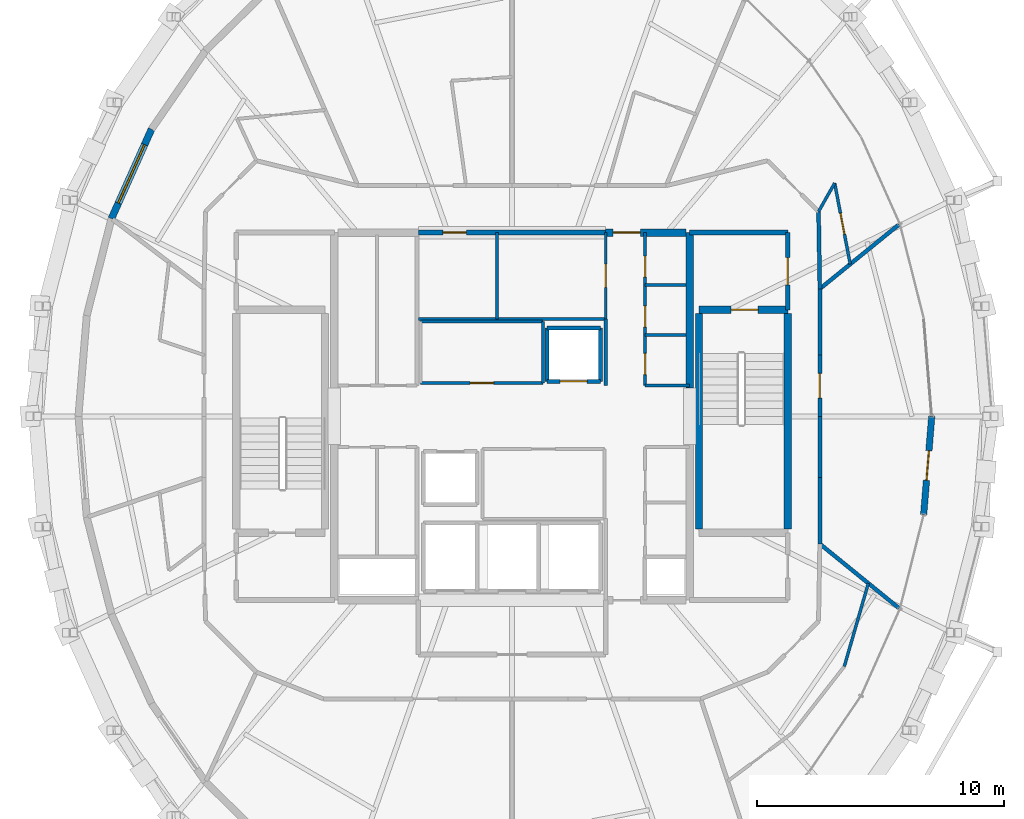
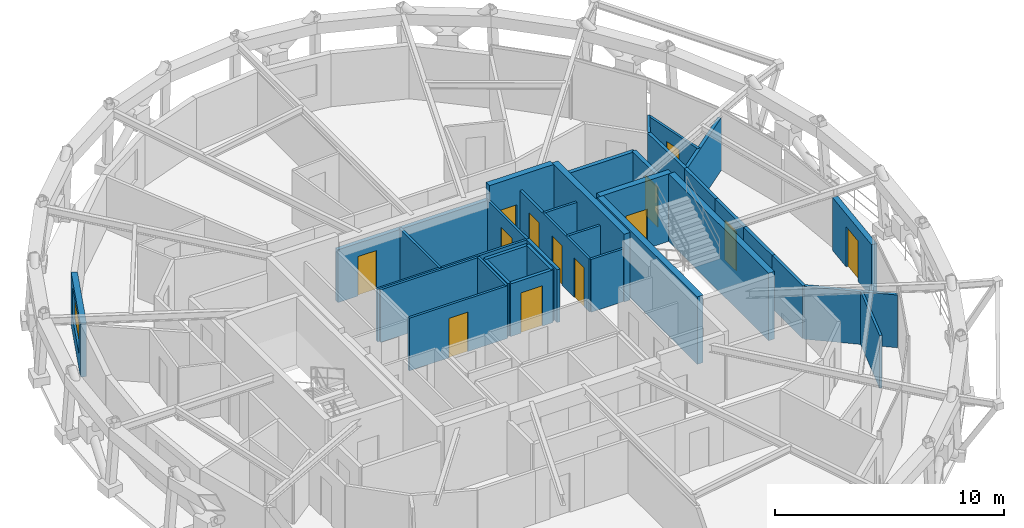
# One storey, part 12 of 14: 35 walls, 13 doors, 1 window, 14 openings.
"""IFC4 building model written with IfcOpenShell, lengths in metres."""

from ifc_helpers import new_model, si_unit, direction, frame, frame_2d, origin, place, context, subcontext, project, spatial, rectangle, extrude, material, layer, layer_set, type_object, element, fill, save


model = new_model("IFC4")

# Units and contexts
model_context = context("Model", 3, precision=1e-05, world=origin(), true_north=direction((0.0, 1.0)))
body_context = subcontext(model_context, "Body", "Model", "MODEL_VIEW")
ifc_project = project(units=[si_unit("LENGTHUNIT", "METRE"), si_unit("AREAUNIT", "SQUARE_METRE"), si_unit("VOLUMEUNIT", "CUBIC_METRE"), si_unit("PLANEANGLEUNIT", "RADIAN"), si_unit("MASSUNIT", "GRAM", prefix="KILO")], contexts=[model_context])

# Site, building, storey
site_placement = place(None, origin())
site = spatial("IfcSite", under=ifc_project, at=site_placement, CompositionType="ELEMENT")
building_placement = place(site_placement, origin())
building = spatial("IfcBuilding", under=site, at=building_placement, Name="Veldorina Hangang Commons", CompositionType="ELEMENT")
storey_placement = place(building_placement, frame((0.0, 0.0, 294.0)))
storey = spatial("IfcBuildingStorey", under=building, at=storey_placement, Name="L77", CompositionType="ELEMENT", Elevation=294.0)

# Wall
ifc_material_1 = material(Name="Concrete C50/60", Category="concrete")
ifc_layer_1 = layer(ifc_material_1, 0.300048828125)
ifc_layer_set_1 = layer_set([ifc_layer_1], Name="Concrete C50/60")
wall_type_1 = type_object("IfcWallType", Name="CW-RC300-C50", PredefinedType="SHEAR", material=ifc_layer_set_1)
wall_1_placement = place(storey_placement, frame((39.199951171875, 25.14990234375, 0.0), z_axis=(0.0, 0.0, 1.0), x_axis=(0.0, 1.0, 0.0)))
element("IfcWall", 1, at=wall_1_placement, inside=storey, type_object=wall_type_1, Name="L77 E north core shear wall", PredefinedType="SHEAR", context=body_context, shape_type="SweptSolid", body=[
    extrude(rectangle(XDim=6.300048828125, YDim=0.300048828125, at=frame_2d((3.14990234375, 0.0))), origin(), (0.0, 0.0, 1.0), 3.60009765625),
])

# Wall, opening, door
wall_2_placement = place(storey_placement, frame((35.800048828125, 31.449951171875, 0.0), z_axis=(0.0, 0.0, 1.0), x_axis=(1.0, 0.0, 0.0)))
wall_2 = element("IfcWall", 2, at=wall_2_placement, inside=storey, type_object=wall_type_1, Name="L77 north-east core shear wall", PredefinedType="SHEAR", context=body_context, shape_type="SweptSolid", body=[
    extrude(rectangle(XDim=3.25, YDim=0.300048828125, at=frame_2d((1.625, 0.0))), origin(), (0.0, 0.0, 1.0), 3.60009765625),
])
opening_1_placement = place(wall_2_placement, frame((0.300048828125, 0.0, 0.0)))
opening_1 = element("IfcOpeningElement", 3, at=opening_1_placement, cuts=wall_2, Name="Opening D-08", PredefinedType="OPENING", context=body_context, shape_type="SweptSolid", body=[
    extrude(rectangle(XDim=1.10009765625, YDim=2.10009765625, at=frame_2d((0.550048828125, 1.050048828125))), frame((0.0, 0.16015625, 0.0), z_axis=(0.0, -1.0, 0.0), x_axis=(1.0, 0.0, 0.0)), (0.0, 0.0, 1.0), 0.320068359375),
])
ifc_material_2 = material(Name="Steel Fire-Rated Smoke Seal", Category="steel")
door_type_1 = type_object("IfcDoorType", Name="DR-FIRE-1100", OperationType="SINGLE_SWING_RIGHT", PredefinedType="DOOR", material=ifc_material_2)
door_1_placement = place(opening_1_placement, origin())
door_1 = element("IfcDoor", 4, at=door_1_placement, inside=storey, type_object=door_type_1, Name="L77 central lift lobby north corridor door", OperationType="SINGLE_SWING_LEFT", OverallHeight=2.10009765625, OverallWidth=1.10009765625, PredefinedType="DOOR", context=body_context, shape_type="SweptSolid", body=[
    extrude(rectangle(XDim=1.10009765625, YDim=2.10009765625, at=frame_2d((0.550048828125, 1.050048828125))), frame((0.0, 0.02490234375, 0.0), z_axis=(0.0, -1.0, 0.0), x_axis=(1.0, 0.0, 0.0)), (0.0, 0.0, 1.0), 0.050048828125),
])
fill(opening_1, door_1)

ifc_material_3 = material(Name="Stone Roman Travertine", Category="masonry")
ifc_layer_2 = layer(ifc_material_3, 0.260009765625)
ifc_layer_set_2 = layer_set([ifc_layer_2], Name="Stone Roman Travertine")
wall_type_2 = type_object("IfcWallType", Name="EW-LOGGIA-260", PredefinedType="STANDARD", material=ifc_layer_set_2)
wall_3_placement = place(storey_placement, frame((48.68896484375, 20.021728515625, 0.0), z_axis=(0.0, 0.0, 1.0), x_axis=(0.081957167383, 0.996635852613, 0.0)))
wall_3 = element("IfcWall", 5, at=wall_3_placement, inside=storey, type_object=wall_type_2, Name="L77 sky-garden loggia portal wall 31", PredefinedType="STANDARD", context=body_context, shape_type="SweptSolid", body=[
    extrude(rectangle(XDim=3.99169921875, YDim=0.260009765625, at=frame_2d((1.995849609375, 0.0))), origin(), (0.0, 0.0, 1.0), 2.820068359375),
])
opening_2_placement = place(wall_3_placement, frame((1.39599609375, 0.0, 0.0)))
opening_2 = element("IfcOpeningElement", 6, at=opening_2_placement, cuts=wall_3, Name="Opening BD-1200", PredefinedType="OPENING", context=body_context, shape_type="SweptSolid", body=[
    extrude(rectangle(XDim=1.199951171875, YDim=2.14990234375, at=frame_2d((0.60009765625, 1.074951171875))), frame((0.0, 0.14013671875, 0.0), z_axis=(0.0, -1.0, 0.0), x_axis=(1.0, 0.0, 0.0)), (0.0, 0.0, 1.0), 0.280029296875),
])
ifc_material_4 = material(Name="Glass Thermal Aluminium Frame", Category="aluminium")
door_type_2 = type_object("IfcDoorType", Name="DR-EXT-LOG1200", OperationType="SINGLE_SWING_LEFT", PredefinedType="DOOR", material=ifc_material_4)
door_2_placement = place(opening_2_placement, origin())
door_2 = element("IfcDoor", 7, at=door_2_placement, inside=storey, type_object=door_type_2, Name="L77 loggia glazed exterior door 31", OperationType="SINGLE_SWING_RIGHT", OverallHeight=2.14990234375, OverallWidth=1.199951171875, PredefinedType="DOOR", context=body_context, shape_type="SweptSolid", body=[
    extrude(rectangle(XDim=1.199951171875, YDim=2.14990234375, at=frame_2d((0.60009765625, 1.074951171875))), frame((0.0, 0.02490234375, 0.0), z_axis=(0.0, -1.0, 0.0), x_axis=(1.0, 0.0, 0.0)), (0.0, 0.0, 1.0), 0.050048828125),
])
fill(opening_2, door_2)

# Wall, opening, window
ifc_layer_3 = layer(ifc_material_3, 0.280029296875)
ifc_layer_set_3 = layer_set([ifc_layer_3], Name="Stone Roman Travertine")
wall_type_3 = type_object("IfcWallType", Name="EW-TRAV-280", PredefinedType="STANDARD", material=ifc_layer_set_3)
wall_4_placement = place(storey_placement, frame((17.385986328125, 35.640380859375, 0.0), z_axis=(0.0, 0.0, 1.0), x_axis=(-0.409103581908, -0.912487950205, 0.0)))
wall_4 = element("IfcWall", 8, at=wall_4_placement, inside=storey, type_object=wall_type_3, Name="L77 travertine facade wall 13", PredefinedType="STANDARD", context=body_context, shape_type="SweptSolid", body=[
    extrude(rectangle(XDim=3.9697265625, YDim=0.280029296875, at=frame_2d((1.98486328125, 0.0))), origin(), (0.0, 0.0, 1.0), 2.820068359375),
])
opening_3_placement = place(wall_4_placement, frame((0.684814453125, 0.0, 0.800048828125)))
opening_3 = element("IfcOpeningElement", 9, at=opening_3_placement, cuts=wall_4, Name="Opening W-02", PredefinedType="OPENING", context=body_context, shape_type="SweptSolid", body=[
    extrude(rectangle(XDim=2.60009765625, YDim=1.64990234375, at=frame_2d((1.300048828125, 0.824951171875))), frame((0.0, 0.14990234375, 0.0), z_axis=(0.0, -1.0, 0.0), x_axis=(1.0, 0.0, 0.0)), (0.0, 0.0, 1.0), 0.300048828125),
])
ifc_material_5 = material(Name="Glass Low-E Triple IGU", Category="glass")
window_type = type_object("IfcWindowType", Name="WIN-TWR-2600", PartitioningType="SINGLE_PANEL", PredefinedType="WINDOW", material=ifc_material_5)
window_placement = place(opening_3_placement, origin())
window = element("IfcWindow", 10, at=window_placement, inside=storey, type_object=window_type, Name="L77 facade window 13", OverallHeight=1.64990234375, OverallWidth=2.60009765625, PartitioningType="SINGLE_PANEL", PredefinedType="WINDOW", context=body_context, shape_type="SweptSolid", body=[
    extrude(rectangle(XDim=2.60009765625, YDim=1.64990234375, at=frame_2d((1.300048828125, 0.824951171875))), frame((0.0, 0.030029296875, 0.0), z_axis=(0.0, -1.0, 0.0), x_axis=(1.0, 0.0, 0.0)), (0.0, 0.0, 1.0), 0.06005859375),
])
fill(opening_3, window)

# Walls
ifc_layer_4 = layer(ifc_material_1, 0.300048828125)
ifc_layer_set_4 = layer_set([ifc_layer_4], Name="Concrete C50/60")
wall_type_4 = type_object("IfcWallType", Name="SW-STAIR-300", PredefinedType="SHEAR", material=ifc_layer_set_4)
for number, where, z_axis, x_axis, name in (
    (11, (43.179931640625, 19.429931640625, 0.0), (0.0, 0.0, 1.0), (0.0, 1.0, 0.0), "L77 ST2 outer stair shear wall"),
    (12, (39.580078125, 19.429931640625, 0.0), (0.0, 0.0, 1.0), (0.0, 1.0, 0.0), "L77 ST2 inner stair shear wall"),
):
    element("IfcWall", number, at=place(storey_placement, frame(where, z_axis=z_axis, x_axis=x_axis)), inside=storey, type_object=wall_type_4, Name=name, PredefinedType="SHEAR", context=body_context, shape_type="SweptSolid", body=[
        extrude(rectangle(XDim=8.739990234375, YDim=0.300048828125, at=frame_2d((4.3701171875, 0.0))), origin(), (0.0, 0.0, 1.0), 3.60009765625),
    ])

# Wall, opening, door
wall_5_placement = place(storey_placement, frame((39.580078125, 28.320068359375, 0.0), z_axis=(0.0, 0.0, 1.0), x_axis=(1.0, 0.0, 0.0)))
wall_5 = element("IfcWall", 13, at=wall_5_placement, inside=storey, type_object=wall_type_4, Name="L77 ST2 north stair shear wall", PredefinedType="SHEAR", context=body_context, shape_type="SweptSolid", body=[
    extrude(rectangle(XDim=3.599853515625, YDim=0.300048828125, at=frame_2d((1.7998046875, 0.0))), origin(), (0.0, 0.0, 1.0), 3.60009765625),
])
opening_4_placement = place(wall_5_placement, frame((1.300048828125, 0.0, 0.0)))
opening_4 = element("IfcOpeningElement", 14, at=opening_4_placement, cuts=wall_5, Name="Opening D-08", PredefinedType="OPENING", context=body_context, shape_type="SweptSolid", body=[
    extrude(rectangle(XDim=1.10009765625, YDim=2.10009765625, at=frame_2d((0.550048828125, 1.050048828125))), frame((0.0, 0.16015625, 0.0), z_axis=(0.0, -1.0, 0.0), x_axis=(1.0, 0.0, 0.0)), (0.0, 0.0, 1.0), 0.320068359375),
])
door_3_placement = place(opening_4_placement, origin())
door_3 = element("IfcDoor", 15, at=door_3_placement, inside=storey, type_object=door_type_1, Name="L77 Special Escape Stair ST-2 door", OperationType="SINGLE_SWING_RIGHT", OverallHeight=2.10009765625, OverallWidth=1.10009765625, PredefinedType="DOOR", context=body_context, shape_type="SweptSolid", body=[
    extrude(rectangle(XDim=1.10009765625, YDim=2.10009765625, at=frame_2d((0.550048828125, 1.050048828125))), frame((0.0, 0.02490234375, 0.0), z_axis=(0.0, -1.0, 0.0), x_axis=(1.0, 0.0, 0.0)), (0.0, 0.0, 1.0), 0.050048828125),
])
fill(opening_4, door_3)

# Wall
ifc_material_6 = material(Name="Gypsum Fire-Rated Twin Stud Wall", Category="gypsum")
ifc_layer_5 = layer(ifc_material_6, 0.159912109375)
ifc_layer_set_5 = layer_set([ifc_layer_5], Name="Gypsum Fire-Rated Twin Stud Wall")
wall_type_5 = type_object("IfcWallType", Name="WL-FIRE-160", PredefinedType="SOLIDWALL", material=ifc_layer_set_5)
wall_6_placement = place(storey_placement, frame((35.800048828125, 25.25, 0.0), z_axis=(0.0, 0.0, 1.0), x_axis=(0.0, 1.0, 0.0)))
element("IfcWall", 16, at=wall_6_placement, inside=storey, type_object=wall_type_5, Name="L77 Lift passage NW lower wall 011", PredefinedType="SOLIDWALL", context=body_context, shape_type="SweptSolid", body=[
    extrude(rectangle(XDim=2.699951171875, YDim=0.159912109375, at=frame_2d((1.35009765625, 0.0))), origin(), (0.0, 0.0, 1.0), 2.81005859375),
])

# Wall, opening, door
wall_7_placement = place(storey_placement, frame((33.419921875, 25.419921875, 0.0), z_axis=(0.0, 0.0, 1.0), x_axis=(1.0, 0.0, 0.0)))
wall_7 = element("IfcWall", 17, at=wall_7_placement, inside=storey, type_object=wall_type_5, Name="L77 Mid-high front shaft wall 015", PredefinedType="SOLIDWALL", context=body_context, shape_type="SweptSolid", body=[
    extrude(rectangle(XDim=2.16015625, YDim=0.159912109375, at=frame_2d((1.080078125, 0.0))), origin(), (0.0, 0.0, 1.0), 2.81005859375),
])
opening_5_placement = place(wall_7_placement, frame((0.530029296875, 0.0, 0.0)))
opening_5 = element("IfcOpeningElement", 18, at=opening_5_placement, cuts=wall_7, Name="Opening LD-01", PredefinedType="OPENING", context=body_context, shape_type="SweptSolid", body=[
    extrude(rectangle(XDim=1.10009765625, YDim=2.14990234375, at=frame_2d((0.550048828125, 1.074951171875))), frame((0.0, 0.08984375, 0.0), z_axis=(0.0, -1.0, 0.0), x_axis=(1.0, 0.0, 0.0)), (0.0, 0.0, 1.0), 0.179931640625),
])
ifc_material_7 = material(Name="Stainless Steel Brushed Lift Door", Category="steel")
door_type_3 = type_object("IfcDoorType", Name="DR-LIFT-1100", OperationType="SLIDING_TO_LEFT", PredefinedType="DOOR", material=ifc_material_7)
door_4_placement = place(opening_5_placement, origin())
door_4 = element("IfcDoor", 19, at=door_4_placement, inside=storey, type_object=door_type_3, Name="L77 Lift PL-H1 landing door 006", OperationType="SLIDING_TO_RIGHT", OverallHeight=2.14990234375, OverallWidth=1.10009765625, PredefinedType="DOOR", context=body_context, shape_type="SweptSolid", body=[
    extrude(rectangle(XDim=1.10009765625, YDim=2.14990234375, at=frame_2d((0.550048828125, 1.074951171875))), frame((0.0, 0.02490234375, 0.0), z_axis=(0.0, -1.0, 0.0), x_axis=(1.0, 0.0, 0.0)), (0.0, 0.0, 1.0), 0.050048828125),
])
fill(opening_5, door_4)

# Walls
for number, where, z_axis, x_axis, name in (
    (20, (33.419921875, 27.580078125, 0.0), (0.0, 0.0, 1.0), (1.0, 0.0, 0.0), "L77 Mid-high rear shaft wall 016"),
    (21, (33.419921875, 25.419921875, 0.0), (0.0, 0.0, 1.0), (0.0, 1.0, 0.0), "L77 PL-H1 west shaft wall 017"),
    (22, (35.580078125, 25.419921875, 0.0), (0.0, 0.0, 1.0), (0.0, 1.0, 0.0), "L77 PL-H1 east shaft wall 018"),
):
    element("IfcWall", number, at=place(storey_placement, frame(where, z_axis=z_axis, x_axis=x_axis)), inside=storey, type_object=wall_type_5, Name=name, PredefinedType="SOLIDWALL", context=body_context, shape_type="SweptSolid", body=[
        extrude(rectangle(XDim=2.16015625, YDim=0.159912109375, at=frame_2d((1.080078125, 0.0))), origin(), (0.0, 0.0, 1.0), 2.81005859375),
    ])

# Wall, opening, door
wall_8_placement = place(storey_placement, frame((44.47998046875, 24.0, 0.0), z_axis=(0.0, 0.0, 1.0), x_axis=(0.0, 1.0, 0.0)))
wall_8 = element("IfcWall", 23, at=wall_8_placement, inside=storey, type_object=wall_type_5, Name="L77 Compact collar outer wall 00 056", PredefinedType="SOLIDWALL", context=body_context, shape_type="SweptSolid", body=[
    extrude(rectangle(XDim=2.482421875, YDim=0.159912109375, at=frame_2d((1.2412109375, 0.0))), origin(), (0.0, 0.0, 1.0), 2.81005859375),
])
opening_6_placement = place(wall_8_placement, frame((0.7412109375, 0.0, 0.0)))
opening_6 = element("IfcOpeningElement", 24, at=opening_6_placement, cuts=wall_8, Name="Opening D-05", PredefinedType="OPENING", context=body_context, shape_type="SweptSolid", body=[
    extrude(rectangle(XDim=1.0, YDim=2.10009765625, at=frame_2d((0.5, 1.050048828125))), frame((0.0, 0.08984375, 0.0), z_axis=(0.0, -1.0, 0.0), x_axis=(1.0, 0.0, 0.0)), (0.0, 0.0, 1.0), 0.179931640625),
])
ifc_material_8 = material(Name="Timber Solid Core Acoustic", Category="wood")
door_type_4 = type_object("IfcDoorType", Name="DR-INT-1000", OperationType="SINGLE_SWING_RIGHT", PredefinedType="DOOR", material=ifc_material_8)
door_5_placement = place(opening_6_placement, origin())
door_5 = element("IfcDoor", 25, at=door_5_placement, inside=storey, type_object=door_type_4, Name="L77 Sky-Garden Commons Lounge door 024", OperationType="SINGLE_SWING_RIGHT", OverallHeight=2.10009765625, OverallWidth=1.0, PredefinedType="DOOR", context=body_context, shape_type="SweptSolid", body=[
    extrude(rectangle(XDim=1.0, YDim=2.10009765625, at=frame_2d((0.5, 1.050048828125))), frame((0.0, 0.02490234375, 0.0), z_axis=(0.0, -1.0, 0.0), x_axis=(1.0, 0.0, 0.0)), (0.0, 0.0, 1.0), 0.050048828125),
])
fill(opening_6, door_5)

# Walls
wall_9_placement = place(storey_placement, frame((44.47998046875, 26.482421875, 0.0), z_axis=(0.0, 0.0, 1.0), x_axis=(0.0, 1.0, 0.0)))
element("IfcWall", 26, at=wall_9_placement, inside=storey, type_object=wall_type_5, Name="L77 Compact collar outer wall 01 057", PredefinedType="SOLIDWALL", context=body_context, shape_type="SweptSolid", body=[
    extrude(rectangle(XDim=2.68701171875, YDim=0.159912109375, at=frame_2d((1.343505859375, 0.0))), origin(), (0.0, 0.0, 1.0), 2.81005859375),
])
wall_10_placement = place(storey_placement, frame((44.47998046875, 29.16943359375, 0.0), z_axis=(0.0, 0.0, 1.0), x_axis=(-0.016981035134, 0.999855811828, 0.0)))
element("IfcWall", 27, at=wall_10_placement, inside=storey, type_object=wall_type_5, Name="L77 Compact collar outer wall 02 058", PredefinedType="SOLIDWALL", context=body_context, shape_type="SweptSolid", body=[
    extrude(rectangle(XDim=3.13427734375, YDim=0.159912109375, at=frame_2d((1.567138671875, 0.0))), origin(), (0.0, 0.0, 1.0), 2.81005859375),
])
wall_11_placement = place(storey_placement, frame((44.47998046875, 18.83056640625, 0.0), z_axis=(0.0, 0.0, 1.0), x_axis=(0.0, 1.0, 0.0)))
element("IfcWall", 28, at=wall_11_placement, inside=storey, type_object=wall_type_5, Name="L77 Compact collar outer wall 30 086", PredefinedType="SOLIDWALL", context=body_context, shape_type="SweptSolid", body=[
    extrude(rectangle(XDim=2.68701171875, YDim=0.159912109375, at=frame_2d((1.343505859375, 0.0))), origin(), (0.0, 0.0, 1.0), 2.81005859375),
])
wall_12_placement = place(storey_placement, frame((44.47998046875, 21.517578125, 0.0), z_axis=(0.0, 0.0, 1.0), x_axis=(0.0, 1.0, 0.0)))
element("IfcWall", 29, at=wall_12_placement, inside=storey, type_object=wall_type_5, Name="L77 Compact collar outer wall 31 087", PredefinedType="SOLIDWALL", context=body_context, shape_type="SweptSolid", body=[
    extrude(rectangle(XDim=2.482421875, YDim=0.159912109375, at=frame_2d((1.2412109375, 0.0))), origin(), (0.0, 0.0, 1.0), 2.81005859375),
])
for number, where, z_axis, x_axis, name in (
    (30, (44.47998046875, 18.83056640625, 0.0), (0.0, 0.0, 1.0), (0.775967385679, -0.630773030783, 0.0), "L77 Unit party wall 30 088"),
    (31, (44.47998046875, 29.16943359375, 0.0), (0.0, 0.0, 1.0), (0.775967385679, 0.630773030783, 0.0), "L77 Unit party wall 02 089"),
):
    element("IfcWall", number, at=place(storey_placement, frame(where, z_axis=z_axis, x_axis=x_axis)), inside=storey, type_object=wall_type_5, Name=name, PredefinedType="SOLIDWALL", context=body_context, shape_type="SweptSolid", body=[
        extrude(rectangle(XDim=4.126220703125, YDim=0.159912109375, at=frame_2d((2.06298828125, 0.0))), origin(), (0.0, 0.0, 1.0), 2.81005859375),
    ])

# Wall, opening, door
ifc_material_9 = material(Name="Concrete Blockwork Fire Wall C30/37", Category="masonry")
ifc_layer_6 = layer(ifc_material_9, 0.199951171875)
ifc_layer_set_6 = layer_set([ifc_layer_6], Name="Concrete Blockwork Fire Wall C30/37")
wall_type_6 = type_object("IfcWallType", Name="WL-FIRE-200", PredefinedType="SOLIDWALL", material=ifc_layer_set_6)
wall_13_placement = place(storey_placement, frame((43.179931640625, 28.320068359375, 0.0), z_axis=(0.0, 0.0, 1.0), x_axis=(0.0, 1.0, 0.0)))
wall_13 = element("IfcWall", 32, at=wall_13_placement, inside=storey, type_object=wall_type_6, Name="L77 East vestibule outer wall 003", PredefinedType="SOLIDWALL", context=body_context, shape_type="SweptSolid", body=[
    extrude(rectangle(XDim=3.1298828125, YDim=0.199951171875, at=frame_2d((1.56494140625, 0.0))), origin(), (0.0, 0.0, 1.0), 2.81005859375),
])
opening_7_placement = place(wall_13_placement, frame((1.014892578125, 0.0, 0.0)))
opening_7 = element("IfcOpeningElement", 33, at=opening_7_placement, cuts=wall_13, Name="Opening D-08", PredefinedType="OPENING", context=body_context, shape_type="SweptSolid", body=[
    extrude(rectangle(XDim=1.10009765625, YDim=2.10009765625, at=frame_2d((0.550048828125, 1.050048828125))), frame((0.0, 0.10986328125, 0.0), z_axis=(0.0, -1.0, 0.0), x_axis=(1.0, 0.0, 0.0)), (0.0, 0.0, 1.0), 0.219970703125),
])
door_6_placement = place(opening_7_placement, origin())
door_6 = element("IfcDoor", 34, at=door_6_placement, inside=storey, type_object=door_type_1, Name="L77 East vestibule east door 002", OperationType="SINGLE_SWING_RIGHT", OverallHeight=2.10009765625, OverallWidth=1.10009765625, PredefinedType="DOOR", context=body_context, shape_type="SweptSolid", body=[
    extrude(rectangle(XDim=1.10009765625, YDim=2.10009765625, at=frame_2d((0.550048828125, 1.050048828125))), frame((0.0, 0.02490234375, 0.0), z_axis=(0.0, -1.0, 0.0), x_axis=(1.0, 0.0, 0.0)), (0.0, 0.0, 1.0), 0.050048828125),
])
fill(opening_7, door_6)

# Wall
wall_14_placement = place(storey_placement, frame((39.199951171875, 31.449951171875, 0.0), z_axis=(0.0, 0.0, 1.0), x_axis=(1.0, 0.0, 0.0)))
element("IfcWall", 35, at=wall_14_placement, inside=storey, type_object=wall_type_6, Name="L77 East vestibule north wall 004", PredefinedType="SOLIDWALL", context=body_context, shape_type="SweptSolid", body=[
    extrude(rectangle(XDim=3.97998046875, YDim=0.199951171875, at=frame_2d((1.989990234375, 0.0))), origin(), (0.0, 0.0, 1.0), 2.81005859375),
])

# Wall, opening, door
wall_15_placement = place(storey_placement, frame((28.199951171875, 31.449951171875, 0.0), z_axis=(0.0, 0.0, 1.0), x_axis=(1.0, 0.0, 0.0)))
wall_15 = element("IfcWall", 36, at=wall_15_placement, inside=storey, type_object=wall_type_6, Name="L77 Merged north core wall 029", PredefinedType="SOLIDWALL", context=body_context, shape_type="SweptSolid", body=[
    extrude(rectangle(XDim=7.60009765625, YDim=0.199951171875, at=frame_2d((3.800048828125, 0.0))), origin(), (0.0, 0.0, 1.0), 2.81005859375),
])
opening_8_placement = place(wall_15_placement, frame((1.0, 0.0, 0.0)))
opening_8 = element("IfcOpeningElement", 37, at=opening_8_placement, cuts=wall_15, Name="Opening D-02", PredefinedType="OPENING", context=body_context, shape_type="SweptSolid", body=[
    extrude(rectangle(XDim=0.949951171875, YDim=2.10009765625, at=frame_2d((0.47509765625, 1.050048828125))), frame((0.0, 0.10986328125, 0.0), z_axis=(0.0, -1.0, 0.0), x_axis=(1.0, 0.0, 0.0)), (0.0, 0.0, 1.0), 0.219970703125),
])
door_type_5 = type_object("IfcDoorType", Name="DR-INT-950", OperationType="SINGLE_SWING_LEFT", PredefinedType="DOOR", material=ifc_material_8)
door_7_placement = place(opening_8_placement, origin())
door_7 = element("IfcDoor", 38, at=door_7_placement, inside=storey, type_object=door_type_5, Name="L77 Core study alcove door 011", OperationType="SINGLE_SWING_LEFT", OverallHeight=2.10009765625, OverallWidth=0.949951171875, PredefinedType="DOOR", context=body_context, shape_type="SweptSolid", body=[
    extrude(rectangle(XDim=0.949951171875, YDim=2.10009765625, at=frame_2d((0.47509765625, 1.050048828125))), frame((0.0, 0.02490234375, 0.0), z_axis=(0.0, -1.0, 0.0), x_axis=(1.0, 0.0, 0.0)), (0.0, 0.0, 1.0), 0.050048828125),
])
fill(opening_8, door_7)

# Wall
ifc_material_10 = material(Name="Gypsum Acoustic Stud Partition", Category="gypsum")
ifc_layer_7 = layer(ifc_material_10, 0.1201171875)
ifc_layer_set_7 = layer_set([ifc_layer_7], Name="Gypsum Acoustic Stud Partition")
wall_type_7 = type_object("IfcWallType", Name="WL-PART-120", PredefinedType="PARTITIONING", material=ifc_layer_set_7)
wall_16_placement = place(storey_placement, frame((28.199951171875, 27.949951171875, 0.0), z_axis=(0.0, 0.0, 1.0), x_axis=(1.0, 0.0, 0.0)))
element("IfcWall", 39, at=wall_16_placement, inside=storey, type_object=wall_type_7, Name="L77 Merged north south wall 030", PredefinedType="PARTITIONING", context=body_context, shape_type="SweptSolid", body=[
    extrude(rectangle(XDim=7.60009765625, YDim=0.1201171875, at=frame_2d((3.800048828125, 0.0))), origin(), (0.0, 0.0, 1.0), 2.81005859375),
])

# Wall, opening, door
wall_17_placement = place(storey_placement, frame((35.800048828125, 27.949951171875, 0.0), z_axis=(0.0, 0.0, 1.0), x_axis=(0.0, 1.0, 0.0)))
wall_17 = element("IfcWall", 40, at=wall_17_placement, inside=storey, type_object=wall_type_7, Name="L77 Merged north east wall 031", PredefinedType="PARTITIONING", context=body_context, shape_type="SweptSolid", body=[
    extrude(rectangle(XDim=3.5, YDim=0.1201171875, at=frame_2d((1.75, 0.0))), origin(), (0.0, 0.0, 1.0), 2.81005859375),
])
opening_9_placement = place(wall_17_placement, frame((1.27490234375, 0.0, 0.0)))
opening_9 = element("IfcOpeningElement", 41, at=opening_9_placement, cuts=wall_17, Name="Opening D-02", PredefinedType="OPENING", context=body_context, shape_type="SweptSolid", body=[
    extrude(rectangle(XDim=0.949951171875, YDim=2.10009765625, at=frame_2d((0.47509765625, 1.050048828125))), frame((0.0, 0.070068359375, 0.0), z_axis=(0.0, -1.0, 0.0), x_axis=(1.0, 0.0, 0.0)), (0.0, 0.0, 1.0), 0.14013671875),
])
door_8_placement = place(opening_9_placement, origin())
door_8 = element("IfcDoor", 42, at=door_8_placement, inside=storey, type_object=door_type_5, Name="L77 Core linen store door 012", OperationType="SINGLE_SWING_RIGHT", OverallHeight=2.10009765625, OverallWidth=0.949951171875, PredefinedType="DOOR", context=body_context, shape_type="SweptSolid", body=[
    extrude(rectangle(XDim=0.949951171875, YDim=2.10009765625, at=frame_2d((0.47509765625, 1.050048828125))), frame((0.0, 0.02490234375, 0.0), z_axis=(0.0, -1.0, 0.0), x_axis=(1.0, 0.0, 0.0)), (0.0, 0.0, 1.0), 0.050048828125),
])
fill(opening_9, door_8)

# Wall
wall_18_placement = place(storey_placement, frame((31.39990234375, 27.949951171875, 0.0), z_axis=(0.0, 0.0, 1.0), x_axis=(0.0, 1.0, 0.0)))
element("IfcWall", 43, at=wall_18_placement, inside=storey, type_object=wall_type_7, Name="L77 Merged north split wall 032", PredefinedType="PARTITIONING", context=body_context, shape_type="SweptSolid", body=[
    extrude(rectangle(XDim=3.5, YDim=0.1201171875, at=frame_2d((1.75, 0.0))), origin(), (0.0, 0.0, 1.0), 2.81005859375),
])

# Wall, opening, door
wall_19_placement = place(storey_placement, frame((28.300048828125, 25.35009765625, 0.0), z_axis=(0.0, 0.0, 1.0), x_axis=(1.0, 0.0, 0.0)))
wall_19 = element("IfcWall", 44, at=wall_19_placement, inside=storey, type_object=wall_type_7, Name="L77 Merged mid-bank south wall 033", PredefinedType="PARTITIONING", context=body_context, shape_type="SweptSolid", body=[
    extrude(rectangle(XDim=4.949951171875, YDim=0.1201171875, at=frame_2d((2.47509765625, 0.0))), origin(), (0.0, 0.0, 1.0), 2.81005859375),
])
opening_10_placement = place(wall_19_placement, frame((2.0, 0.0, 0.0)))
opening_10 = element("IfcOpeningElement", 45, at=opening_10_placement, cuts=wall_19, Name="Opening D-02", PredefinedType="OPENING", context=body_context, shape_type="SweptSolid", body=[
    extrude(rectangle(XDim=0.949951171875, YDim=2.10009765625, at=frame_2d((0.47509765625, 1.050048828125))), frame((0.0, 0.070068359375, 0.0), z_axis=(0.0, -1.0, 0.0), x_axis=(1.0, 0.0, 0.0)), (0.0, 0.0, 1.0), 0.14013671875),
])
door_9_placement = place(opening_10_placement, origin())
door_9 = element("IfcDoor", 46, at=door_9_placement, inside=storey, type_object=door_type_5, Name="L77 Quiet study room door 013", OperationType="SINGLE_SWING_LEFT", OverallHeight=2.10009765625, OverallWidth=0.949951171875, PredefinedType="DOOR", context=body_context, shape_type="SweptSolid", body=[
    extrude(rectangle(XDim=0.949951171875, YDim=2.10009765625, at=frame_2d((0.47509765625, 1.050048828125))), frame((0.0, 0.02490234375, 0.0), z_axis=(0.0, -1.0, 0.0), x_axis=(1.0, 0.0, 0.0)), (0.0, 0.0, 1.0), 0.050048828125),
])
fill(opening_10, door_9)

# Walls
wall_20_placement = place(storey_placement, frame((28.300048828125, 27.85009765625, 0.0), z_axis=(0.0, 0.0, 1.0), x_axis=(1.0, 0.0, 0.0)))
element("IfcWall", 47, at=wall_20_placement, inside=storey, type_object=wall_type_7, Name="L77 Merged mid-bank north wall 034", PredefinedType="PARTITIONING", context=body_context, shape_type="SweptSolid", body=[
    extrude(rectangle(XDim=4.949951171875, YDim=0.1201171875, at=frame_2d((2.47509765625, 0.0))), origin(), (0.0, 0.0, 1.0), 2.81005859375),
])
wall_21_placement = place(storey_placement, frame((33.25, 25.35009765625, 0.0), z_axis=(0.0, 0.0, 1.0), x_axis=(0.0, 1.0, 0.0)))
element("IfcWall", 48, at=wall_21_placement, inside=storey, type_object=wall_type_7, Name="L77 Merged mid-bank east wall 036", PredefinedType="PARTITIONING", context=body_context, shape_type="SweptSolid", body=[
    extrude(rectangle(XDim=2.5, YDim=0.1201171875, at=frame_2d((1.25, 0.0))), origin(), (0.0, 0.0, 1.0), 2.81005859375),
])

# Wall, openings, doors
wall_22_placement = place(storey_placement, frame((37.39990234375, 25.25, 0.0), z_axis=(0.0, 0.0, 1.0), x_axis=(0.0, 1.0, 0.0)))
wall_22 = element("IfcWall", 49, at=wall_22_placement, inside=storey, type_object=wall_type_7, Name="L77 NE strip lobby wall 047", PredefinedType="PARTITIONING", context=body_context, shape_type="SweptSolid", body=[
    extrude(rectangle(XDim=6.199951171875, YDim=0.1201171875, at=frame_2d((3.10009765625, 0.0))), origin(), (0.0, 0.0, 1.0), 2.81005859375),
])
opening_11_placement = place(wall_22_placement, frame((0.43994140625, 0.0, 0.0)))
opening_11 = element("IfcOpeningElement", 50, at=opening_11_placement, cuts=wall_22, Name="Opening D-01", PredefinedType="OPENING", context=body_context, shape_type="SweptSolid", body=[
    extrude(rectangle(XDim=0.860107421875, YDim=2.10009765625, at=frame_2d((0.43017578125, 1.050048828125))), frame((0.0, 0.070068359375, 0.0), z_axis=(0.0, -1.0, 0.0), x_axis=(1.0, 0.0, 0.0)), (0.0, 0.0, 1.0), 0.14013671875),
])
opening_12_placement = place(wall_22_placement, frame((2.3701171875, 0.0, 0.0)))
opening_12 = element("IfcOpeningElement", 51, at=opening_12_placement, cuts=wall_22, Name="Opening D-01", PredefinedType="OPENING", context=body_context, shape_type="SweptSolid", body=[
    extrude(rectangle(XDim=0.860107421875, YDim=2.10009765625, at=frame_2d((0.43017578125, 1.050048828125))), frame((0.0, 0.070068359375, 0.0), z_axis=(0.0, -1.0, 0.0), x_axis=(1.0, 0.0, 0.0)), (0.0, 0.0, 1.0), 0.14013671875),
])
opening_13_placement = place(wall_22_placement, frame((4.389892578125, 0.0, 0.0)))
opening_13 = element("IfcOpeningElement", 52, at=opening_13_placement, cuts=wall_22, Name="Opening D-01", PredefinedType="OPENING", context=body_context, shape_type="SweptSolid", body=[
    extrude(rectangle(XDim=0.860107421875, YDim=2.10009765625, at=frame_2d((0.43017578125, 1.050048828125))), frame((0.0, 0.070068359375, 0.0), z_axis=(0.0, -1.0, 0.0), x_axis=(1.0, 0.0, 0.0)), (0.0, 0.0, 1.0), 0.14013671875),
])
ifc_material_11 = material(Name="Timber Moisture-Resistant Core", Category="wood")
door_type_6 = type_object("IfcDoorType", Name="DR-WET-860", OperationType="SINGLE_SWING_LEFT", PredefinedType="DOOR", material=ifc_material_11)
door_10_placement = place(opening_11_placement, origin())
door_10 = element("IfcDoor", 53, at=door_10_placement, inside=storey, type_object=door_type_6, Name="L77 Fiber Riser Closet door 019", OperationType="SINGLE_SWING_LEFT", OverallHeight=2.10009765625, OverallWidth=0.860107421875, PredefinedType="DOOR", context=body_context, shape_type="SweptSolid", body=[
    extrude(rectangle(XDim=0.860107421875, YDim=2.10009765625, at=frame_2d((0.43017578125, 1.050048828125))), frame((0.0, 0.02490234375, 0.0), z_axis=(0.0, -1.0, 0.0), x_axis=(1.0, 0.0, 0.0)), (0.0, 0.0, 1.0), 0.050048828125),
])
fill(opening_11, door_10)
door_11_placement = place(opening_12_placement, origin())
door_11 = element("IfcDoor", 54, at=door_11_placement, inside=storey, type_object=door_type_6, Name="L77 AV Rack Closet door 020", OperationType="SINGLE_SWING_RIGHT", OverallHeight=2.10009765625, OverallWidth=0.860107421875, PredefinedType="DOOR", context=body_context, shape_type="SweptSolid", body=[
    extrude(rectangle(XDim=0.860107421875, YDim=2.10009765625, at=frame_2d((0.43017578125, 1.050048828125))), frame((0.0, 0.02490234375, 0.0), z_axis=(0.0, -1.0, 0.0), x_axis=(1.0, 0.0, 0.0)), (0.0, 0.0, 1.0), 0.050048828125),
])
fill(opening_12, door_11)
door_12_placement = place(opening_13_placement, origin())
door_12 = element("IfcDoor", 55, at=door_12_placement, inside=storey, type_object=door_type_6, Name="L77 Supply Closet door 021", OperationType="SINGLE_SWING_LEFT", OverallHeight=2.10009765625, OverallWidth=0.860107421875, PredefinedType="DOOR", context=body_context, shape_type="SweptSolid", body=[
    extrude(rectangle(XDim=0.860107421875, YDim=2.10009765625, at=frame_2d((0.43017578125, 1.050048828125))), frame((0.0, 0.02490234375, 0.0), z_axis=(0.0, -1.0, 0.0), x_axis=(1.0, 0.0, 0.0)), (0.0, 0.0, 1.0), 0.050048828125),
])
fill(opening_13, door_12)

# Walls
wall_23_placement = place(storey_placement, frame((37.39990234375, 25.25, 0.0), z_axis=(0.0, 0.0, 1.0), x_axis=(1.0, 0.0, 0.0)))
element("IfcWall", 56, at=wall_23_placement, inside=storey, type_object=wall_type_7, Name="L77 NE strip south return wall 048", PredefinedType="PARTITIONING", context=body_context, shape_type="SweptSolid", body=[
    extrude(rectangle(XDim=1.800048828125, YDim=0.1201171875, at=frame_2d((0.89990234375, 0.0))), origin(), (0.0, 0.0, 1.0), 2.81005859375),
])
for number, where, z_axis, x_axis, name in (
    (57, (37.39990234375, 27.300048828125, 0.0), (0.0, 0.0, 1.0), (1.0, 0.0, 0.0), "L77 NE split 1 053"),
    (58, (37.39990234375, 29.330078125, 0.0), (0.0, 0.0, 1.0), (1.0, 0.0, 0.0), "L77 NE split 2 054"),
):
    element("IfcWall", number, at=place(storey_placement, frame(where, z_axis=z_axis, x_axis=x_axis)), inside=storey, type_object=wall_type_7, Name=name, PredefinedType="PARTITIONING", context=body_context, shape_type="SweptSolid", body=[
        extrude(rectangle(XDim=1.650146484375, YDim=0.1201171875, at=frame_2d((0.8251953125, 0.0))), origin(), (0.0, 0.0, 1.0), 2.81005859375),
    ])

# Wall, opening, door
wall_24_placement = place(storey_placement, frame((45.71142578125, 30.17041015625, 0.0), z_axis=(0.0, 0.0, 1.0), x_axis=(-0.18865234905, 0.982043935472, 0.0)))
wall_24 = element("IfcWall", 59, at=wall_24_placement, inside=storey, type_object=wall_type_7, Name="L77 Studio 2 bath front wall 090", PredefinedType="PARTITIONING", context=body_context, shape_type="SweptSolid", body=[
    extrude(rectangle(XDim=3.3427734375, YDim=0.1201171875, at=frame_2d((1.67138671875, 0.0))), origin(), (0.0, 0.0, 1.0), 2.81005859375),
])
opening_14_placement = place(wall_24_placement, frame((1.2412109375, 0.0, 0.0)))
opening_14 = element("IfcOpeningElement", 60, at=opening_14_placement, cuts=wall_24, Name="Opening D-01", PredefinedType="OPENING", context=body_context, shape_type="SweptSolid", body=[
    extrude(rectangle(XDim=0.860107421875, YDim=2.10009765625, at=frame_2d((0.43017578125, 1.050048828125))), frame((0.0, 0.070068359375, 0.0), z_axis=(0.0, -1.0, 0.0), x_axis=(1.0, 0.0, 0.0)), (0.0, 0.0, 1.0), 0.14013671875),
])
door_13_placement = place(opening_14_placement, origin())
door_13 = element("IfcDoor", 61, at=door_13_placement, inside=storey, type_object=door_type_6, Name="L77 Studio 2 bathroom door 025", OperationType="SINGLE_SWING_LEFT", OverallHeight=2.10009765625, OverallWidth=0.860107421875, PredefinedType="DOOR", context=body_context, shape_type="SweptSolid", body=[
    extrude(rectangle(XDim=0.860107421875, YDim=2.10009765625, at=frame_2d((0.43017578125, 1.050048828125))), frame((0.0, 0.02490234375, 0.0), z_axis=(0.0, -1.0, 0.0), x_axis=(1.0, 0.0, 0.0)), (0.0, 0.0, 1.0), 0.050048828125),
])
fill(opening_14, door_13)

# Walls
wall_25_placement = place(storey_placement, frame((44.4267578125, 32.30322265625, 0.0), z_axis=(0.0, 0.0, 1.0), x_axis=(0.494408865021, 0.869229471537, 0.0)))
element("IfcWall", 62, at=wall_25_placement, inside=storey, type_object=wall_type_7, Name="L77 Studio 2 bath side wall 091", PredefinedType="PARTITIONING", context=body_context, shape_type="SweptSolid", body=[
    extrude(rectangle(XDim=1.322998046875, YDim=0.1201171875, at=frame_2d((0.66162109375, 0.0))), origin(), (0.0, 0.0, 1.0), 2.81005859375),
])
wall_26_placement = place(storey_placement, frame((45.470703125, 13.86181640625, 0.0), z_axis=(0.0, 0.0, 1.0), x_axis=(0.277715153413, 0.960663465301, 0.0)))
element("IfcWall", 63, at=wall_26_placement, inside=storey, type_object=wall_type_7, Name="L77 Laundry split 2 112", PredefinedType="PARTITIONING", context=body_context, shape_type="SweptSolid", body=[
    extrude(rectangle(XDim=3.50927734375, YDim=0.1201171875, at=frame_2d((1.754638671875, 0.0))), origin(), (0.0, 0.0, 1.0), 2.81005859375),
])

save(model, "model.ifc")
